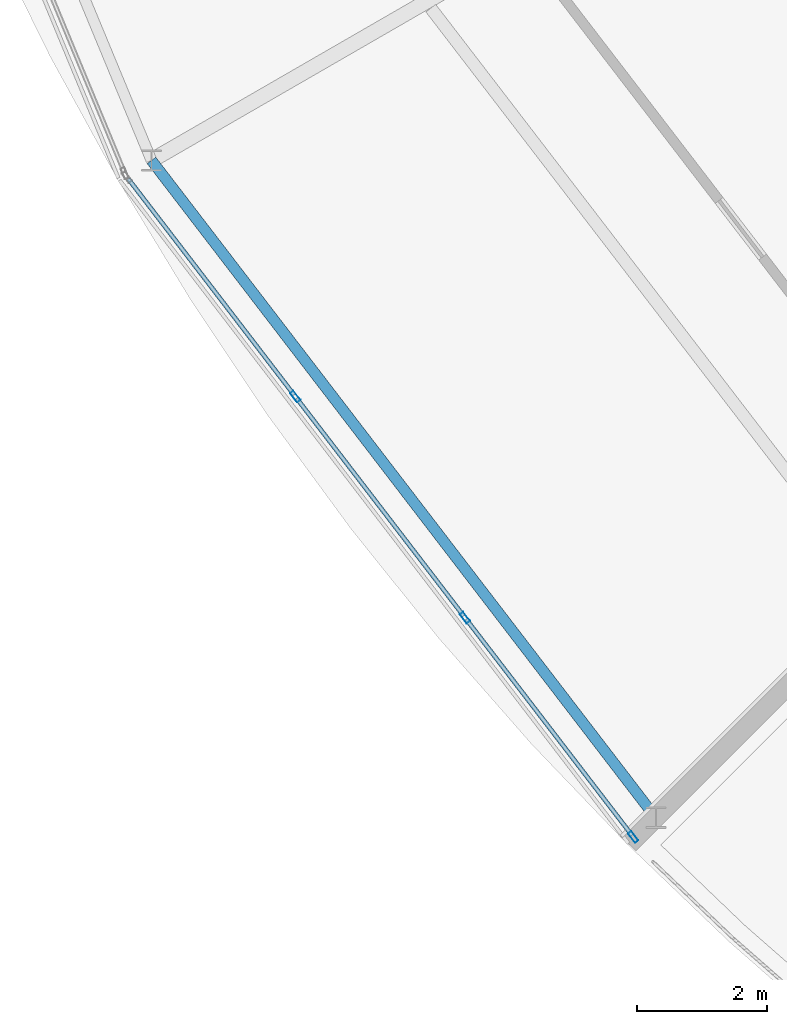
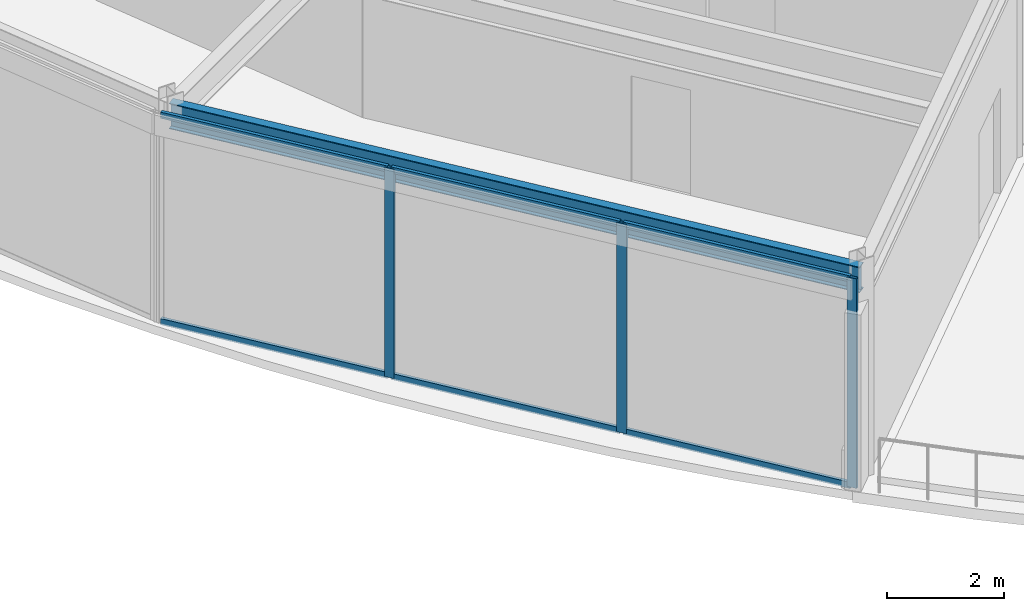
# One storey, part 23 of 133: 9 members, 1 beam, 1 element without a shape of its own.
"""IFC4 building model written with IfcOpenShell, lengths in metres."""

from ifc_helpers import new_model, si_unit, direction, frame, origin, origin_2d, place, context, subcontext, project, spatial, hollow_rectangle, i_section, extrude, material, material_profile, profile_set, type_object, element, aggregate, save


model = new_model("IFC4")

# Units and contexts
model_context = context("Model", 3, precision=1e-05, world=origin(), true_north=direction((0.0, 1.0)))
body_context = subcontext(model_context, "Body", "Model", "MODEL_VIEW")
ifc_project = project(units=[si_unit("LENGTHUNIT", "METRE"), si_unit("AREAUNIT", "SQUARE_METRE"), si_unit("VOLUMEUNIT", "CUBIC_METRE"), si_unit("PLANEANGLEUNIT", "RADIAN"), si_unit("MASSUNIT", "GRAM", prefix="KILO")], contexts=[model_context])

# Site, building, storey
site_placement = place(None, origin())
site = spatial("IfcSite", under=ifc_project, at=site_placement, CompositionType="ELEMENT")
building_placement = place(site_placement, origin())
building = spatial("IfcBuilding", under=site, at=building_placement, Name="Almandine Court Research Institute", CompositionType="ELEMENT")
storey_placement = place(building_placement, frame((0.0, 0.0, 9.800048828125)))
storey = spatial("IfcBuildingStorey", under=building, at=storey_placement, Name="L02", CompositionType="ELEMENT", Elevation=9.800048828125)

# Beam
ifc_material_1 = material(Name="Steel ASTM A992 Grade 50", Category="steel")
ifc_material_profile_1 = material_profile(ifc_material_1, i_section(OverallWidth=0.166015625, OverallDepth=0.534912109375, WebThickness=0.010009765625, FlangeThickness=0.01708984375, at=origin_2d()), Name="W530x85")
ifc_profile_set_1 = profile_set([ifc_material_profile_1], Name="Steel ASTM A992 Grade 50")
beam_type = type_object("IfcBeamType", Name="Beam-G-05-E", PredefinedType="SPANDREL", material=ifc_profile_set_1)
beam_placement = place(storey_placement, frame((44.65087890625, 31.550048828125, 4.054931640625), z_axis=(0.608751886289, -0.793360662587, 0.0), x_axis=(0.793360662587, 0.608751886289, 0.0)))
element("IfcBeam", 1, at=beam_placement, inside=storey, type_object=beam_type, Name="L02 Drum OUT Ring Beam 14", PredefinedType="SPANDREL", context=body_context, shape_type="SweptSolid", body=[
    extrude(i_section(OverallWidth=0.166015625, OverallDepth=0.534912109375, WebThickness=0.010009765625, FlangeThickness=0.01708984375, at=origin_2d()), origin(), (0.0, 0.0, 1.0), 12.765869140625),
])

# Curtain wall, members
ifc_material_2 = material(Name="Unitised Curtain Wall Framing and Solar Glazing", Category="glass")
curtain_wall_type = type_object("IfcCurtainWallType", Name="CW-CWJ-19", PredefinedType="USERDEFINED", material=ifc_material_2)
curtain_wall_placement = place(storey_placement, origin())
curtain_wall = element("IfcCurtainWall", 2, at=curtain_wall_placement, inside=storey, type_object=curtain_wall_type, Name="L02 Stacked-Ring Drum Outer Solar Jali Screen 14", ObjectType="SOLAR JALI SCREEN", PredefinedType="USERDEFINED")
ifc_material_3 = material(Name="Anodised Aluminium AW-6063-T6", Category="aluminium")
ifc_material_profile_2 = material_profile(ifc_material_3, hollow_rectangle(XDim=0.06494140625, YDim=0.179931640625, WallThickness=0.00390625, at=origin_2d()), Name="ALU RHS 65x180x4")
ifc_profile_set_2 = profile_set([ifc_material_profile_2], Name="Anodised Aluminium AW-6063-T6")
member_type_1 = type_object("IfcMemberType", Name="CWMul-65x180", PredefinedType="MULLION", material=ifc_profile_set_2)
member_1_placement = place(storey_placement, frame((52.07421875, 21.125732421875, 0.0), z_axis=(0.0, 0.0, 1.0), x_axis=(-0.793382586046, -0.608723313303, 0.0)))
member_1 = element("IfcMember", 3, at=member_1_placement, type_object=member_type_1, Name="CWJ-19 mullion 1", PredefinedType="MULLION", context=body_context, shape_type="SweptSolid", body=[
    extrude(hollow_rectangle(XDim=0.06494140625, YDim=0.179931640625, WallThickness=0.00390625, at=origin_2d()), origin(), (0.0, 0.0, 1.0), 4.369873046875),
])
member_2_placement = place(storey_placement, frame((49.48095703125, 24.505615234375, 0.0), z_axis=(0.0, 0.0, 1.0), x_axis=(-0.793382586046, -0.608723313303, 0.0)))
member_2 = element("IfcMember", 4, at=member_2_placement, type_object=member_type_1, Name="CWJ-19 mullion 2", PredefinedType="MULLION", context=body_context, shape_type="SweptSolid", body=[
    extrude(hollow_rectangle(XDim=0.06494140625, YDim=0.179931640625, WallThickness=0.00390625, at=origin_2d()), origin(), (0.0, 0.0, 1.0), 4.369873046875),
])
member_3_placement = place(storey_placement, frame((46.867919921875, 27.911376953125, 0.0), z_axis=(0.0, 0.0, 1.0), x_axis=(-0.793382586046, -0.608723313303, 0.0)))
member_3 = element("IfcMember", 5, at=member_3_placement, type_object=member_type_1, Name="CWJ-19 mullion 3", PredefinedType="MULLION", context=body_context, shape_type="SweptSolid", body=[
    extrude(hollow_rectangle(XDim=0.06494140625, YDim=0.179931640625, WallThickness=0.00390625, at=origin_2d()), origin(), (0.0, 0.0, 1.0), 4.369873046875),
])
ifc_material_profile_3 = material_profile(ifc_material_3, hollow_rectangle(XDim=0.06494140625, YDim=0.1298828125, WallThickness=0.00390625, at=origin_2d()), Name="ALU RHS 65x130x4")
ifc_profile_set_3 = profile_set([ifc_material_profile_3], Name="Anodised Aluminium AW-6063-T6")
member_type_2 = type_object("IfcMemberType", Name="CWTrn-65x130", PredefinedType="NOTDEFINED", material=ifc_profile_set_3)
member_4_placement = place(storey_placement, frame((52.054443359375, 21.151611328125, 0.032470703125), z_axis=(-0.608725941364, 0.793380569658, 0.0), x_axis=(-0.793380569658, -0.608725941364, 0.0)))
member_4 = element("IfcMember", 6, at=member_4_placement, type_object=member_type_2, Name="CWJ-19 transom 1.1", ObjectType="TRANSOM", PredefinedType="USERDEFINED", context=body_context, shape_type="SweptSolid", body=[
    extrude(hollow_rectangle(XDim=0.06494140625, YDim=0.1298828125, WallThickness=0.00390625, at=origin_2d()), origin(), (0.0, 0.0, 1.0), 4.195068359375),
])
member_5_placement = place(storey_placement, frame((52.054443359375, 21.151611328125, 4.33740234375), z_axis=(-0.608725941364, 0.793380569658, 0.0), x_axis=(-0.793380569658, -0.608725941364, 0.0)))
member_5 = element("IfcMember", 7, at=member_5_placement, type_object=member_type_2, Name="CWJ-19 transom 1.2", ObjectType="TRANSOM", PredefinedType="USERDEFINED", context=body_context, shape_type="SweptSolid", body=[
    extrude(hollow_rectangle(XDim=0.06494140625, YDim=0.1298828125, WallThickness=0.00390625, at=origin_2d()), origin(), (0.0, 0.0, 1.0), 4.195068359375),
])
member_6_placement = place(storey_placement, frame((49.461181640625, 24.531494140625, 0.032470703125), z_axis=(-0.608741867566, 0.793368349931, 0.0), x_axis=(-0.793368349931, -0.608741867566, 0.0)))
member_6 = element("IfcMember", 8, at=member_6_placement, type_object=member_type_2, Name="CWJ-19 transom 2.1", ObjectType="TRANSOM", PredefinedType="USERDEFINED", context=body_context, shape_type="SweptSolid", body=[
    extrude(hollow_rectangle(XDim=0.06494140625, YDim=0.1298828125, WallThickness=0.00390625, at=origin_2d()), origin(), (0.0, 0.0, 1.0), 4.2275390625),
])
member_7_placement = place(storey_placement, frame((49.461181640625, 24.531494140625, 4.33740234375), z_axis=(-0.608741867566, 0.793368349931, 0.0), x_axis=(-0.793368349931, -0.608741867566, 0.0)))
member_7 = element("IfcMember", 9, at=member_7_placement, type_object=member_type_2, Name="CWJ-19 transom 2.2", ObjectType="TRANSOM", PredefinedType="USERDEFINED", context=body_context, shape_type="SweptSolid", body=[
    extrude(hollow_rectangle(XDim=0.06494140625, YDim=0.1298828125, WallThickness=0.00390625, at=origin_2d()), origin(), (0.0, 0.0, 1.0), 4.2275390625),
])
member_8_placement = place(storey_placement, frame((46.84814453125, 27.93701171875, 0.032470703125), z_axis=(-0.608689308041, 0.793408675449, 0.0), x_axis=(-0.793408675449, -0.608689308041, 0.0)))
member_8 = element("IfcMember", 10, at=member_8_placement, type_object=member_type_2, Name="CWJ-19 transom 3.1", ObjectType="TRANSOM", PredefinedType="USERDEFINED", context=body_context, shape_type="SweptSolid", body=[
    extrude(hollow_rectangle(XDim=0.06494140625, YDim=0.1298828125, WallThickness=0.00390625, at=origin_2d()), origin(), (0.0, 0.0, 1.0), 4.195068359375),
])
member_9_placement = place(storey_placement, frame((46.84814453125, 27.93701171875, 4.33740234375), z_axis=(-0.608689308041, 0.793408675449, 0.0), x_axis=(-0.793408675449, -0.608689308041, 0.0)))
member_9 = element("IfcMember", 11, at=member_9_placement, type_object=member_type_2, Name="CWJ-19 transom 3.2", ObjectType="TRANSOM", PredefinedType="USERDEFINED", context=body_context, shape_type="SweptSolid", body=[
    extrude(hollow_rectangle(XDim=0.06494140625, YDim=0.1298828125, WallThickness=0.00390625, at=origin_2d()), origin(), (0.0, 0.0, 1.0), 4.195068359375),
])
aggregate(curtain_wall, [member_1, member_2, member_3, member_4, member_5, member_6, member_7, member_8, member_9])

save(model, "model.ifc")
